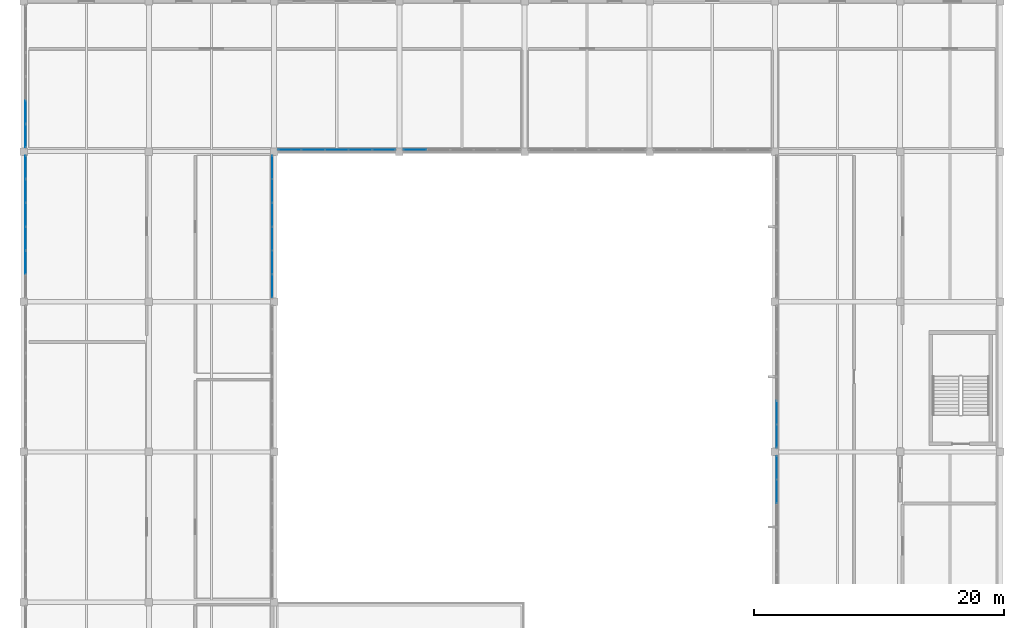
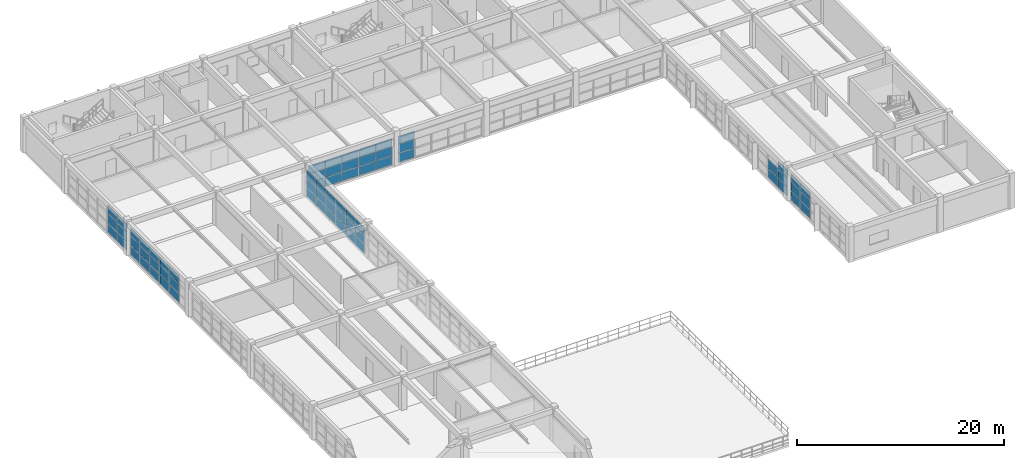
# One storey, part 16 of 28: 68 plates, 7 elements without a shape of their own.
"""IFC4 building model written with IfcOpenShell, lengths in metres."""

from ifc_helpers import new_model, si_unit, direction, frame, origin, origin_2d, place, context, subcontext, project, spatial, rectangle, extrude, material, layer, layer_set, type_object, element, aggregate, save


model = new_model("IFC4")

# Units and contexts
model_context = context("Model", 3, precision=1e-05, world=origin(), true_north=direction((0.0, 1.0)))
body_context = subcontext(model_context, "Body", "Model", "MODEL_VIEW")
ifc_project = project(units=[si_unit("LENGTHUNIT", "METRE"), si_unit("AREAUNIT", "SQUARE_METRE"), si_unit("VOLUMEUNIT", "CUBIC_METRE"), si_unit("PLANEANGLEUNIT", "RADIAN"), si_unit("MASSUNIT", "GRAM", prefix="KILO")], contexts=[model_context])

# Site, building, storey
site_placement = place(None, origin())
site = spatial("IfcSite", under=ifc_project, at=site_placement, CompositionType="ELEMENT")
building_placement = place(site_placement, origin())
building = spatial("IfcBuilding", under=site, at=building_placement, Name="Kivolera Central Railway Station", CompositionType="ELEMENT")
storey_placement = place(building_placement, frame((0.0, 0.0, 18.60009765625)))
storey = spatial("IfcBuildingStorey", under=building, at=storey_placement, Name="L04", CompositionType="ELEMENT", Elevation=18.60009765625)

# Curtain wall, plates
ifc_material_1 = material(Name="Anodised aluminium", Category="aluminium")
ifc_layer_1 = layer(ifc_material_1, 0.179931640625, Name="Anodised aluminium")
ifc_layer_set_1 = layer_set([ifc_layer_1], Name="Anodised aluminium")
curtain_wall_type_1 = type_object("IfcCurtainWallType", Name="CW-SYS-32", PredefinedType="NOTDEFINED", material=ifc_layer_set_1)
curtain_wall_1_placement = place(storey_placement, origin())
curtain_wall_1 = element("IfcCurtainWall", 1, at=curtain_wall_1_placement, inside=storey, type_object=curtain_wall_type_1, Name="L04 Curtain Wall CW-L04-CRTW-J", PredefinedType="NOTDEFINED")
ifc_material_2 = material(Name="Double low-E laminated glass", Category="glass")
ifc_layer_2 = layer(ifc_material_2, 0.02587890625, Name="Double low-E laminated glass")
ifc_layer_set_2 = layer_set([ifc_layer_2], Name="Double low-E laminated glass")
plate_type_1 = type_object("IfcPlateType", Name="CWP-GLZ-1", PredefinedType="CURTAIN_PANEL", material=ifc_layer_set_2)
plate_1_placement = place(storey_placement, frame((137.85498046875, 112.7392578125, 0.0478515625), z_axis=(0.0, 0.0, 1.0), x_axis=(0.0, -1.0, 0.0)))
plate_1 = element("IfcPlate", 2, at=plate_1_placement, type_object=plate_type_1, Name="CW-32 panel 1.1", PredefinedType="CURTAIN_PANEL", context=body_context, shape_type="SweptSolid", body=[
    extrude(rectangle(XDim=1.835693359375, YDim=0.02587890625, at=origin_2d()), origin(), (0.0, 0.0, 1.0), 1.0498046875),
])
plate_2_placement = place(storey_placement, frame((137.85498046875, 112.7392578125, 1.1337890625), z_axis=(0.0, 0.0, 1.0), x_axis=(0.0, -1.0, 0.0)))
plate_2 = element("IfcPlate", 3, at=plate_2_placement, type_object=plate_type_1, Name="CW-32 panel 1.2", PredefinedType="CURTAIN_PANEL", context=body_context, shape_type="SweptSolid", body=[
    extrude(rectangle(XDim=1.835693359375, YDim=0.02587890625, at=origin_2d()), origin(), (0.0, 0.0, 1.0), 1.079833984375),
])
plate_3_placement = place(storey_placement, frame((137.85498046875, 112.7392578125, 2.24951171875), z_axis=(0.0, 0.0, 1.0), x_axis=(0.0, -1.0, 0.0)))
plate_3 = element("IfcPlate", 4, at=plate_3_placement, type_object=plate_type_1, Name="CW-32 panel 1.3", PredefinedType="CURTAIN_PANEL", context=body_context, shape_type="SweptSolid", body=[
    extrude(rectangle(XDim=1.835693359375, YDim=0.02587890625, at=origin_2d()), origin(), (0.0, 0.0, 1.0), 0.890380859375),
])
plate_4_placement = place(storey_placement, frame((137.85498046875, 110.8525390625, 0.0478515625), z_axis=(0.0, 0.0, 1.0), x_axis=(0.0, -1.0, 0.0)))
plate_4 = element("IfcPlate", 5, at=plate_4_placement, type_object=plate_type_1, Name="CW-32 panel 2.1", PredefinedType="CURTAIN_PANEL", context=body_context, shape_type="SweptSolid", body=[
    extrude(rectangle(XDim=1.86572265625, YDim=0.02587890625, at=origin_2d()), origin(), (0.0, 0.0, 1.0), 1.0498046875),
])
plate_5_placement = place(storey_placement, frame((137.85498046875, 110.8525390625, 1.1337890625), z_axis=(0.0, 0.0, 1.0), x_axis=(0.0, -1.0, 0.0)))
plate_5 = element("IfcPlate", 6, at=plate_5_placement, type_object=plate_type_1, Name="CW-32 panel 2.2", PredefinedType="CURTAIN_PANEL", context=body_context, shape_type="SweptSolid", body=[
    extrude(rectangle(XDim=1.86572265625, YDim=0.02587890625, at=origin_2d()), origin(), (0.0, 0.0, 1.0), 1.079833984375),
])
plate_6_placement = place(storey_placement, frame((137.85498046875, 110.8525390625, 2.24951171875), z_axis=(0.0, 0.0, 1.0), x_axis=(0.0, -1.0, 0.0)))
plate_6 = element("IfcPlate", 7, at=plate_6_placement, type_object=plate_type_1, Name="CW-32 panel 2.3", PredefinedType="CURTAIN_PANEL", context=body_context, shape_type="SweptSolid", body=[
    extrude(rectangle(XDim=1.86572265625, YDim=0.02587890625, at=origin_2d()), origin(), (0.0, 0.0, 1.0), 0.890380859375),
])
plate_7_placement = place(storey_placement, frame((137.85498046875, 108.950927734375, 0.0478515625), z_axis=(0.0, 0.0, 1.0), x_axis=(0.0, -1.0, 0.0)))
plate_7 = element("IfcPlate", 8, at=plate_7_placement, type_object=plate_type_1, Name="CW-32 panel 3.1", PredefinedType="CURTAIN_PANEL", context=body_context, shape_type="SweptSolid", body=[
    extrude(rectangle(XDim=1.86572265625, YDim=0.02587890625, at=origin_2d()), origin(), (0.0, 0.0, 1.0), 1.0498046875),
])
plate_8_placement = place(storey_placement, frame((137.85498046875, 108.950927734375, 1.1337890625), z_axis=(0.0, 0.0, 1.0), x_axis=(0.0, -1.0, 0.0)))
plate_8 = element("IfcPlate", 9, at=plate_8_placement, type_object=plate_type_1, Name="CW-32 panel 3.2", PredefinedType="CURTAIN_PANEL", context=body_context, shape_type="SweptSolid", body=[
    extrude(rectangle(XDim=1.86572265625, YDim=0.02587890625, at=origin_2d()), origin(), (0.0, 0.0, 1.0), 1.079833984375),
])
plate_9_placement = place(storey_placement, frame((137.85498046875, 108.950927734375, 2.24951171875), z_axis=(0.0, 0.0, 1.0), x_axis=(0.0, -1.0, 0.0)))
plate_9 = element("IfcPlate", 10, at=plate_9_placement, type_object=plate_type_1, Name="CW-32 panel 3.3", PredefinedType="CURTAIN_PANEL", context=body_context, shape_type="SweptSolid", body=[
    extrude(rectangle(XDim=1.86572265625, YDim=0.02587890625, at=origin_2d()), origin(), (0.0, 0.0, 1.0), 0.890380859375),
])
plate_10_placement = place(storey_placement, frame((137.85498046875, 107.049072265625, 0.0478515625), z_axis=(0.0, 0.0, 1.0), x_axis=(0.0, -1.0, 0.0)))
plate_10 = element("IfcPlate", 11, at=plate_10_placement, type_object=plate_type_1, Name="CW-32 panel 4.1", PredefinedType="CURTAIN_PANEL", context=body_context, shape_type="SweptSolid", body=[
    extrude(rectangle(XDim=1.86572265625, YDim=0.02587890625, at=origin_2d()), origin(), (0.0, 0.0, 1.0), 1.0498046875),
])
plate_11_placement = place(storey_placement, frame((137.85498046875, 107.049072265625, 1.1337890625), z_axis=(0.0, 0.0, 1.0), x_axis=(0.0, -1.0, 0.0)))
plate_11 = element("IfcPlate", 12, at=plate_11_placement, type_object=plate_type_1, Name="CW-32 panel 4.2", PredefinedType="CURTAIN_PANEL", context=body_context, shape_type="SweptSolid", body=[
    extrude(rectangle(XDim=1.86572265625, YDim=0.02587890625, at=origin_2d()), origin(), (0.0, 0.0, 1.0), 1.079833984375),
])
plate_12_placement = place(storey_placement, frame((137.85498046875, 107.049072265625, 2.24951171875), z_axis=(0.0, 0.0, 1.0), x_axis=(0.0, -1.0, 0.0)))
plate_12 = element("IfcPlate", 13, at=plate_12_placement, type_object=plate_type_1, Name="CW-32 panel 4.3", PredefinedType="CURTAIN_PANEL", context=body_context, shape_type="SweptSolid", body=[
    extrude(rectangle(XDim=1.86572265625, YDim=0.02587890625, at=origin_2d()), origin(), (0.0, 0.0, 1.0), 0.890380859375),
])
plate_13_placement = place(storey_placement, frame((137.85498046875, 105.1474609375, 0.0478515625), z_axis=(0.0, 0.0, 1.0), x_axis=(0.0, -1.0, 0.0)))
plate_13 = element("IfcPlate", 14, at=plate_13_placement, type_object=plate_type_1, Name="CW-32 panel 5.1", PredefinedType="CURTAIN_PANEL", context=body_context, shape_type="SweptSolid", body=[
    extrude(rectangle(XDim=1.86572265625, YDim=0.02587890625, at=origin_2d()), origin(), (0.0, 0.0, 1.0), 1.0498046875),
])
plate_14_placement = place(storey_placement, frame((137.85498046875, 105.1474609375, 1.1337890625), z_axis=(0.0, 0.0, 1.0), x_axis=(0.0, -1.0, 0.0)))
plate_14 = element("IfcPlate", 15, at=plate_14_placement, type_object=plate_type_1, Name="CW-32 panel 5.2", PredefinedType="CURTAIN_PANEL", context=body_context, shape_type="SweptSolid", body=[
    extrude(rectangle(XDim=1.86572265625, YDim=0.02587890625, at=origin_2d()), origin(), (0.0, 0.0, 1.0), 1.079833984375),
])
plate_15_placement = place(storey_placement, frame((137.85498046875, 105.1474609375, 2.24951171875), z_axis=(0.0, 0.0, 1.0), x_axis=(0.0, -1.0, 0.0)))
plate_15 = element("IfcPlate", 16, at=plate_15_placement, type_object=plate_type_1, Name="CW-32 panel 5.3", PredefinedType="CURTAIN_PANEL", context=body_context, shape_type="SweptSolid", body=[
    extrude(rectangle(XDim=1.86572265625, YDim=0.02587890625, at=origin_2d()), origin(), (0.0, 0.0, 1.0), 0.890380859375),
])
plate_16_placement = place(storey_placement, frame((137.85498046875, 103.2607421875, 0.0478515625), z_axis=(0.0, 0.0, 1.0), x_axis=(0.0, -1.0, 0.0)))
plate_16 = element("IfcPlate", 17, at=plate_16_placement, type_object=plate_type_1, Name="CW-32 panel 6.1", PredefinedType="CURTAIN_PANEL", context=body_context, shape_type="SweptSolid", body=[
    extrude(rectangle(XDim=1.835693359375, YDim=0.02587890625, at=origin_2d()), origin(), (0.0, 0.0, 1.0), 1.0498046875),
])
plate_17_placement = place(storey_placement, frame((137.85498046875, 103.2607421875, 1.1337890625), z_axis=(0.0, 0.0, 1.0), x_axis=(0.0, -1.0, 0.0)))
plate_17 = element("IfcPlate", 18, at=plate_17_placement, type_object=plate_type_1, Name="CW-32 panel 6.2", PredefinedType="CURTAIN_PANEL", context=body_context, shape_type="SweptSolid", body=[
    extrude(rectangle(XDim=1.835693359375, YDim=0.02587890625, at=origin_2d()), origin(), (0.0, 0.0, 1.0), 1.079833984375),
])
plate_18_placement = place(storey_placement, frame((137.85498046875, 103.2607421875, 2.24951171875), z_axis=(0.0, 0.0, 1.0), x_axis=(0.0, -1.0, 0.0)))
plate_18 = element("IfcPlate", 19, at=plate_18_placement, type_object=plate_type_1, Name="CW-32 panel 6.3", PredefinedType="CURTAIN_PANEL", context=body_context, shape_type="SweptSolid", body=[
    extrude(rectangle(XDim=1.835693359375, YDim=0.02587890625, at=origin_2d()), origin(), (0.0, 0.0, 1.0), 0.890380859375),
])
aggregate(curtain_wall_1, [plate_1, plate_2, plate_3, plate_4, plate_5, plate_6, plate_7, plate_8, plate_9, plate_10, plate_11, plate_12, plate_13, plate_14, plate_15, plate_16, plate_17, plate_18])

ifc_layer_3 = layer(ifc_material_1, 0.179931640625, Name="Anodised aluminium")
ifc_layer_set_3 = layer_set([ifc_layer_3], Name="Anodised aluminium")
curtain_wall_type_2 = type_object("IfcCurtainWallType", Name="CW-SYS-31", PredefinedType="NOTDEFINED", material=ifc_layer_set_3)
curtain_wall_2_placement = place(storey_placement, origin())
curtain_wall_2 = element("IfcCurtainWall", 20, at=curtain_wall_2_placement, inside=storey, type_object=curtain_wall_type_2, Name="L04 Curtain Wall CW-L04-CRTN-138", PredefinedType="NOTDEFINED")
ifc_layer_4 = layer(ifc_material_2, 0.030029296875, Name="Double low-E laminated glass")
ifc_layer_set_4 = layer_set([ifc_layer_4], Name="Double low-E laminated glass")
plate_type_2 = type_object("IfcPlateType", Name="CWP-GLZ-2", PredefinedType="CURTAIN_PANEL", material=ifc_layer_set_4)
plate_19_placement = place(storey_placement, frame((146.7490234375, 114.14501953125, 0.0478515625), z_axis=(0.0, 0.0, 1.0), x_axis=(-1.0, 0.0, 0.0)))
plate_19 = element("IfcPlate", 21, at=plate_19_placement, type_object=plate_type_2, Name="CW-31 panel 1.1", PredefinedType="CURTAIN_PANEL", context=body_context, shape_type="SweptSolid", body=[
    extrude(rectangle(XDim=1.81591796875, YDim=0.030029296875, at=origin_2d()), origin(), (0.0, 0.0, 1.0), 1.0498046875),
])
plate_20_placement = place(storey_placement, frame((146.7490234375, 114.14501953125, 1.1337890625), z_axis=(0.0, 0.0, 1.0), x_axis=(-1.0, 0.0, 0.0)))
plate_20 = element("IfcPlate", 22, at=plate_20_placement, type_object=plate_type_2, Name="CW-31 panel 1.2", PredefinedType="CURTAIN_PANEL", context=body_context, shape_type="SweptSolid", body=[
    extrude(rectangle(XDim=1.81591796875, YDim=0.030029296875, at=origin_2d()), origin(), (0.0, 0.0, 1.0), 1.079833984375),
])
plate_21_placement = place(storey_placement, frame((146.7490234375, 114.14501953125, 2.24951171875), z_axis=(0.0, 0.0, 1.0), x_axis=(-1.0, 0.0, 0.0)))
plate_21 = element("IfcPlate", 23, at=plate_21_placement, type_object=plate_type_2, Name="CW-31 panel 1.3", PredefinedType="CURTAIN_PANEL", context=body_context, shape_type="SweptSolid", body=[
    extrude(rectangle(XDim=1.81591796875, YDim=0.030029296875, at=origin_2d()), origin(), (0.0, 0.0, 1.0), 0.890380859375),
])
plate_22_placement = place(storey_placement, frame((144.882080078125, 114.14501953125, 0.0478515625), z_axis=(0.0, 0.0, 1.0), x_axis=(-1.0, 0.0, 0.0)))
plate_22 = element("IfcPlate", 24, at=plate_22_placement, type_object=plate_type_2, Name="CW-31 panel 2.1", PredefinedType="CURTAIN_PANEL", context=body_context, shape_type="SweptSolid", body=[
    extrude(rectangle(XDim=1.845947265625, YDim=0.030029296875, at=origin_2d()), origin(), (0.0, 0.0, 1.0), 1.0498046875),
])
plate_23_placement = place(storey_placement, frame((144.882080078125, 114.14501953125, 1.1337890625), z_axis=(0.0, 0.0, 1.0), x_axis=(-1.0, 0.0, 0.0)))
plate_23 = element("IfcPlate", 25, at=plate_23_placement, type_object=plate_type_2, Name="CW-31 panel 2.2", PredefinedType="CURTAIN_PANEL", context=body_context, shape_type="SweptSolid", body=[
    extrude(rectangle(XDim=1.845947265625, YDim=0.030029296875, at=origin_2d()), origin(), (0.0, 0.0, 1.0), 1.079833984375),
])
plate_24_placement = place(storey_placement, frame((144.882080078125, 114.14501953125, 2.24951171875), z_axis=(0.0, 0.0, 1.0), x_axis=(-1.0, 0.0, 0.0)))
plate_24 = element("IfcPlate", 26, at=plate_24_placement, type_object=plate_type_2, Name="CW-31 panel 2.3", PredefinedType="CURTAIN_PANEL", context=body_context, shape_type="SweptSolid", body=[
    extrude(rectangle(XDim=1.845947265625, YDim=0.030029296875, at=origin_2d()), origin(), (0.0, 0.0, 1.0), 0.890380859375),
])
plate_25_placement = place(storey_placement, frame((143.0, 114.14501953125, 0.0478515625), z_axis=(0.0, 0.0, 1.0), x_axis=(-1.0, 0.0, 0.0)))
plate_25 = element("IfcPlate", 27, at=plate_25_placement, type_object=plate_type_2, Name="CW-31 panel 3.1", PredefinedType="CURTAIN_PANEL", context=body_context, shape_type="SweptSolid", body=[
    extrude(rectangle(XDim=1.845947265625, YDim=0.030029296875, at=origin_2d()), origin(), (0.0, 0.0, 1.0), 1.0498046875),
])
plate_26_placement = place(storey_placement, frame((143.0, 114.14501953125, 1.1337890625), z_axis=(0.0, 0.0, 1.0), x_axis=(-1.0, 0.0, 0.0)))
plate_26 = element("IfcPlate", 28, at=plate_26_placement, type_object=plate_type_2, Name="CW-31 panel 3.2", PredefinedType="CURTAIN_PANEL", context=body_context, shape_type="SweptSolid", body=[
    extrude(rectangle(XDim=1.845947265625, YDim=0.030029296875, at=origin_2d()), origin(), (0.0, 0.0, 1.0), 1.079833984375),
])
plate_27_placement = place(storey_placement, frame((143.0, 114.14501953125, 2.24951171875), z_axis=(0.0, 0.0, 1.0), x_axis=(-1.0, 0.0, 0.0)))
plate_27 = element("IfcPlate", 29, at=plate_27_placement, type_object=plate_type_2, Name="CW-31 panel 3.3", PredefinedType="CURTAIN_PANEL", context=body_context, shape_type="SweptSolid", body=[
    extrude(rectangle(XDim=1.845947265625, YDim=0.030029296875, at=origin_2d()), origin(), (0.0, 0.0, 1.0), 0.890380859375),
])
plate_28_placement = place(storey_placement, frame((141.117919921875, 114.14501953125, 0.0478515625), z_axis=(0.0, 0.0, 1.0), x_axis=(-1.0, 0.0, 0.0)))
plate_28 = element("IfcPlate", 30, at=plate_28_placement, type_object=plate_type_2, Name="CW-31 panel 4.1", PredefinedType="CURTAIN_PANEL", context=body_context, shape_type="SweptSolid", body=[
    extrude(rectangle(XDim=1.845947265625, YDim=0.030029296875, at=origin_2d()), origin(), (0.0, 0.0, 1.0), 1.0498046875),
])
plate_29_placement = place(storey_placement, frame((141.117919921875, 114.14501953125, 1.1337890625), z_axis=(0.0, 0.0, 1.0), x_axis=(-1.0, 0.0, 0.0)))
plate_29 = element("IfcPlate", 31, at=plate_29_placement, type_object=plate_type_2, Name="CW-31 panel 4.2", PredefinedType="CURTAIN_PANEL", context=body_context, shape_type="SweptSolid", body=[
    extrude(rectangle(XDim=1.845947265625, YDim=0.030029296875, at=origin_2d()), origin(), (0.0, 0.0, 1.0), 1.079833984375),
])
plate_30_placement = place(storey_placement, frame((141.117919921875, 114.14501953125, 2.24951171875), z_axis=(0.0, 0.0, 1.0), x_axis=(-1.0, 0.0, 0.0)))
plate_30 = element("IfcPlate", 32, at=plate_30_placement, type_object=plate_type_2, Name="CW-31 panel 4.3", PredefinedType="CURTAIN_PANEL", context=body_context, shape_type="SweptSolid", body=[
    extrude(rectangle(XDim=1.845947265625, YDim=0.030029296875, at=origin_2d()), origin(), (0.0, 0.0, 1.0), 0.890380859375),
])
plate_31_placement = place(storey_placement, frame((139.2509765625, 114.14501953125, 0.0478515625), z_axis=(0.0, 0.0, 1.0), x_axis=(-1.0, 0.0, 0.0)))
plate_31 = element("IfcPlate", 33, at=plate_31_placement, type_object=plate_type_2, Name="CW-31 panel 5.1", PredefinedType="CURTAIN_PANEL", context=body_context, shape_type="SweptSolid", body=[
    extrude(rectangle(XDim=1.81591796875, YDim=0.030029296875, at=origin_2d()), origin(), (0.0, 0.0, 1.0), 1.0498046875),
])
plate_32_placement = place(storey_placement, frame((139.2509765625, 114.14501953125, 1.1337890625), z_axis=(0.0, 0.0, 1.0), x_axis=(-1.0, 0.0, 0.0)))
plate_32 = element("IfcPlate", 34, at=plate_32_placement, type_object=plate_type_2, Name="CW-31 panel 5.2", PredefinedType="CURTAIN_PANEL", context=body_context, shape_type="SweptSolid", body=[
    extrude(rectangle(XDim=1.81591796875, YDim=0.030029296875, at=origin_2d()), origin(), (0.0, 0.0, 1.0), 1.079833984375),
])
plate_33_placement = place(storey_placement, frame((139.2509765625, 114.14501953125, 2.24951171875), z_axis=(0.0, 0.0, 1.0), x_axis=(-1.0, 0.0, 0.0)))
plate_33 = element("IfcPlate", 35, at=plate_33_placement, type_object=plate_type_2, Name="CW-31 panel 5.3", PredefinedType="CURTAIN_PANEL", context=body_context, shape_type="SweptSolid", body=[
    extrude(rectangle(XDim=1.81591796875, YDim=0.030029296875, at=origin_2d()), origin(), (0.0, 0.0, 1.0), 0.890380859375),
])
aggregate(curtain_wall_2, [plate_19, plate_20, plate_21, plate_22, plate_23, plate_24, plate_25, plate_26, plate_27, plate_28, plate_29, plate_30, plate_31, plate_32, plate_33])

curtain_wall_3_placement = place(storey_placement, origin())
curtain_wall_3 = element("IfcCurtainWall", 36, at=curtain_wall_3_placement, inside=storey, type_object=curtain_wall_type_1, Name="L04 Curtain Wall CW-L04-CRTE-G", PredefinedType="NOTDEFINED")
plate_34_placement = place(storey_placement, frame((178.14501953125, 86.8525390625, 0.0478515625), z_axis=(0.0, 0.0, 1.0), x_axis=(0.0, 1.0, 0.0)))
plate_34 = element("IfcPlate", 37, at=plate_34_placement, type_object=plate_type_2, Name="CW-32 panel 5.1", PredefinedType="CURTAIN_PANEL", context=body_context, shape_type="SweptSolid", body=[
    extrude(rectangle(XDim=1.86572265625, YDim=0.030029296875, at=origin_2d()), origin(), (0.0, 0.0, 1.0), 1.0498046875),
])
plate_35_placement = place(storey_placement, frame((178.14501953125, 86.8525390625, 1.1337890625), z_axis=(0.0, 0.0, 1.0), x_axis=(0.0, 1.0, 0.0)))
plate_35 = element("IfcPlate", 38, at=plate_35_placement, type_object=plate_type_2, Name="CW-32 panel 5.2", PredefinedType="CURTAIN_PANEL", context=body_context, shape_type="SweptSolid", body=[
    extrude(rectangle(XDim=1.86572265625, YDim=0.030029296875, at=origin_2d()), origin(), (0.0, 0.0, 1.0), 1.079833984375),
])
plate_36_placement = place(storey_placement, frame((178.14501953125, 86.8525390625, 2.24951171875), z_axis=(0.0, 0.0, 1.0), x_axis=(0.0, 1.0, 0.0)))
plate_36 = element("IfcPlate", 39, at=plate_36_placement, type_object=plate_type_2, Name="CW-32 panel 5.3", PredefinedType="CURTAIN_PANEL", context=body_context, shape_type="SweptSolid", body=[
    extrude(rectangle(XDim=1.86572265625, YDim=0.030029296875, at=origin_2d()), origin(), (0.0, 0.0, 1.0), 0.890380859375),
])
plate_37_placement = place(storey_placement, frame((178.14501953125, 88.7392578125, 0.0478515625), z_axis=(0.0, 0.0, 1.0), x_axis=(0.0, 1.0, 0.0)))
plate_37 = element("IfcPlate", 40, at=plate_37_placement, type_object=plate_type_2, Name="CW-32 panel 6.1", PredefinedType="CURTAIN_PANEL", context=body_context, shape_type="SweptSolid", body=[
    extrude(rectangle(XDim=1.835693359375, YDim=0.030029296875, at=origin_2d()), origin(), (0.0, 0.0, 1.0), 1.0498046875),
])
plate_38_placement = place(storey_placement, frame((178.14501953125, 88.7392578125, 1.1337890625), z_axis=(0.0, 0.0, 1.0), x_axis=(0.0, 1.0, 0.0)))
plate_38 = element("IfcPlate", 41, at=plate_38_placement, type_object=plate_type_2, Name="CW-32 panel 6.2", PredefinedType="CURTAIN_PANEL", context=body_context, shape_type="SweptSolid", body=[
    extrude(rectangle(XDim=1.835693359375, YDim=0.030029296875, at=origin_2d()), origin(), (0.0, 0.0, 1.0), 1.079833984375),
])
plate_39_placement = place(storey_placement, frame((178.14501953125, 88.7392578125, 2.24951171875), z_axis=(0.0, 0.0, 1.0), x_axis=(0.0, 1.0, 0.0)))
plate_39 = element("IfcPlate", 42, at=plate_39_placement, type_object=plate_type_2, Name="CW-32 panel 6.3", PredefinedType="CURTAIN_PANEL", context=body_context, shape_type="SweptSolid", body=[
    extrude(rectangle(XDim=1.835693359375, YDim=0.030029296875, at=origin_2d()), origin(), (0.0, 0.0, 1.0), 0.890380859375),
])
aggregate(curtain_wall_3, [plate_34, plate_35, plate_36, plate_37, plate_38, plate_39])

curtain_wall_4_placement = place(storey_placement, origin())
curtain_wall_4 = element("IfcCurtainWall", 43, at=curtain_wall_4_placement, inside=storey, type_object=curtain_wall_type_1, Name="L04 Curtain Wall CW-L04-CRTE-H", PredefinedType="NOTDEFINED")
plate_40_placement = place(storey_placement, frame((178.14501953125, 91.2607421875, 0.0478515625), z_axis=(0.0, 0.0, 1.0), x_axis=(0.0, 1.0, 0.0)))
plate_40 = element("IfcPlate", 44, at=plate_40_placement, type_object=plate_type_2, Name="CW-32 panel 1.1", PredefinedType="CURTAIN_PANEL", context=body_context, shape_type="SweptSolid", body=[
    extrude(rectangle(XDim=1.835693359375, YDim=0.030029296875, at=origin_2d()), origin(), (0.0, 0.0, 1.0), 1.0498046875),
])
plate_41_placement = place(storey_placement, frame((178.14501953125, 91.2607421875, 1.1337890625), z_axis=(0.0, 0.0, 1.0), x_axis=(0.0, 1.0, 0.0)))
plate_41 = element("IfcPlate", 45, at=plate_41_placement, type_object=plate_type_2, Name="CW-32 panel 1.2", PredefinedType="CURTAIN_PANEL", context=body_context, shape_type="SweptSolid", body=[
    extrude(rectangle(XDim=1.835693359375, YDim=0.030029296875, at=origin_2d()), origin(), (0.0, 0.0, 1.0), 1.079833984375),
])
plate_42_placement = place(storey_placement, frame((178.14501953125, 91.2607421875, 2.24951171875), z_axis=(0.0, 0.0, 1.0), x_axis=(0.0, 1.0, 0.0)))
plate_42 = element("IfcPlate", 46, at=plate_42_placement, type_object=plate_type_2, Name="CW-32 panel 1.3", PredefinedType="CURTAIN_PANEL", context=body_context, shape_type="SweptSolid", body=[
    extrude(rectangle(XDim=1.835693359375, YDim=0.030029296875, at=origin_2d()), origin(), (0.0, 0.0, 1.0), 0.890380859375),
])
plate_43_placement = place(storey_placement, frame((178.14501953125, 93.1474609375, 0.0478515625), z_axis=(0.0, 0.0, 1.0), x_axis=(0.0, 1.0, 0.0)))
plate_43 = element("IfcPlate", 47, at=plate_43_placement, type_object=plate_type_2, Name="CW-32 panel 2.1", PredefinedType="CURTAIN_PANEL", context=body_context, shape_type="SweptSolid", body=[
    extrude(rectangle(XDim=1.86572265625, YDim=0.030029296875, at=origin_2d()), origin(), (0.0, 0.0, 1.0), 1.0498046875),
])
plate_44_placement = place(storey_placement, frame((178.14501953125, 93.1474609375, 1.1337890625), z_axis=(0.0, 0.0, 1.0), x_axis=(0.0, 1.0, 0.0)))
plate_44 = element("IfcPlate", 48, at=plate_44_placement, type_object=plate_type_2, Name="CW-32 panel 2.2", PredefinedType="CURTAIN_PANEL", context=body_context, shape_type="SweptSolid", body=[
    extrude(rectangle(XDim=1.86572265625, YDim=0.030029296875, at=origin_2d()), origin(), (0.0, 0.0, 1.0), 1.079833984375),
])
aggregate(curtain_wall_4, [plate_40, plate_41, plate_42, plate_43, plate_44])

ifc_layer_5 = layer(ifc_material_1, 0.179931640625, Name="Anodised aluminium")
ifc_layer_set_5 = layer_set([ifc_layer_5], Name="Anodised aluminium")
curtain_wall_type_3 = type_object("IfcCurtainWallType", Name="CW-SYS-33", PredefinedType="NOTDEFINED", material=ifc_layer_set_5)
curtain_wall_5_placement = place(storey_placement, origin())
curtain_wall_5 = element("IfcCurtainWall", 49, at=curtain_wall_5_placement, inside=storey, type_object=curtain_wall_type_3, Name="L04 Curtain Wall CW-L04-WEST-J", PredefinedType="NOTDEFINED")
plate_45_placement = place(storey_placement, frame((118.14501953125, 105.1474609375, 0.057861328125), z_axis=(0.0, 0.0, 1.0), x_axis=(0.0, 1.0, 0.0)))
plate_45 = element("IfcPlate", 50, at=plate_45_placement, type_object=plate_type_2, Name="CW-33 panel 2.1", PredefinedType="CURTAIN_PANEL", context=body_context, shape_type="SweptSolid", body=[
    extrude(rectangle(XDim=1.855712890625, YDim=0.030029296875, at=origin_2d()), origin(), (0.0, 0.0, 1.0), 1.06982421875),
])
plate_46_placement = place(storey_placement, frame((118.14501953125, 105.1474609375, 1.173828125), z_axis=(0.0, 0.0, 1.0), x_axis=(0.0, 1.0, 0.0)))
plate_46 = element("IfcPlate", 51, at=plate_46_placement, type_object=plate_type_2, Name="CW-33 panel 2.2", PredefinedType="CURTAIN_PANEL", context=body_context, shape_type="SweptSolid", body=[
    extrude(rectangle(XDim=1.855712890625, YDim=0.030029296875, at=origin_2d()), origin(), (0.0, 0.0, 1.0), 1.104736328125),
])
plate_47_placement = place(storey_placement, frame((118.14501953125, 105.1474609375, 2.32421875), z_axis=(0.0, 0.0, 1.0), x_axis=(0.0, 1.0, 0.0)))
plate_47 = element("IfcPlate", 52, at=plate_47_placement, type_object=plate_type_2, Name="CW-33 panel 2.3", PredefinedType="CURTAIN_PANEL", context=body_context, shape_type="SweptSolid", body=[
    extrude(rectangle(XDim=1.855712890625, YDim=0.030029296875, at=origin_2d()), origin(), (0.0, 0.0, 1.0), 0.905517578125),
])
plate_48_placement = place(storey_placement, frame((118.14501953125, 107.049072265625, 0.057861328125), z_axis=(0.0, 0.0, 1.0), x_axis=(0.0, 1.0, 0.0)))
plate_48 = element("IfcPlate", 53, at=plate_48_placement, type_object=plate_type_2, Name="CW-33 panel 3.1", PredefinedType="CURTAIN_PANEL", context=body_context, shape_type="SweptSolid", body=[
    extrude(rectangle(XDim=1.855712890625, YDim=0.030029296875, at=origin_2d()), origin(), (0.0, 0.0, 1.0), 1.06982421875),
])
plate_49_placement = place(storey_placement, frame((118.14501953125, 107.049072265625, 1.173828125), z_axis=(0.0, 0.0, 1.0), x_axis=(0.0, 1.0, 0.0)))
plate_49 = element("IfcPlate", 54, at=plate_49_placement, type_object=plate_type_2, Name="CW-33 panel 3.2", PredefinedType="CURTAIN_PANEL", context=body_context, shape_type="SweptSolid", body=[
    extrude(rectangle(XDim=1.855712890625, YDim=0.030029296875, at=origin_2d()), origin(), (0.0, 0.0, 1.0), 1.104736328125),
])
plate_50_placement = place(storey_placement, frame((118.14501953125, 107.049072265625, 2.32421875), z_axis=(0.0, 0.0, 1.0), x_axis=(0.0, 1.0, 0.0)))
plate_50 = element("IfcPlate", 55, at=plate_50_placement, type_object=plate_type_2, Name="CW-33 panel 3.3", PredefinedType="CURTAIN_PANEL", context=body_context, shape_type="SweptSolid", body=[
    extrude(rectangle(XDim=1.855712890625, YDim=0.030029296875, at=origin_2d()), origin(), (0.0, 0.0, 1.0), 0.905517578125),
])
plate_51_placement = place(storey_placement, frame((118.14501953125, 108.950927734375, 0.057861328125), z_axis=(0.0, 0.0, 1.0), x_axis=(0.0, 1.0, 0.0)))
plate_51 = element("IfcPlate", 56, at=plate_51_placement, type_object=plate_type_2, Name="CW-33 panel 4.1", PredefinedType="CURTAIN_PANEL", context=body_context, shape_type="SweptSolid", body=[
    extrude(rectangle(XDim=1.855712890625, YDim=0.030029296875, at=origin_2d()), origin(), (0.0, 0.0, 1.0), 1.06982421875),
])
plate_52_placement = place(storey_placement, frame((118.14501953125, 108.950927734375, 1.173828125), z_axis=(0.0, 0.0, 1.0), x_axis=(0.0, 1.0, 0.0)))
plate_52 = element("IfcPlate", 57, at=plate_52_placement, type_object=plate_type_2, Name="CW-33 panel 4.2", PredefinedType="CURTAIN_PANEL", context=body_context, shape_type="SweptSolid", body=[
    extrude(rectangle(XDim=1.855712890625, YDim=0.030029296875, at=origin_2d()), origin(), (0.0, 0.0, 1.0), 1.104736328125),
])
plate_53_placement = place(storey_placement, frame((118.14501953125, 108.950927734375, 2.32421875), z_axis=(0.0, 0.0, 1.0), x_axis=(0.0, 1.0, 0.0)))
plate_53 = element("IfcPlate", 58, at=plate_53_placement, type_object=plate_type_2, Name="CW-33 panel 4.3", PredefinedType="CURTAIN_PANEL", context=body_context, shape_type="SweptSolid", body=[
    extrude(rectangle(XDim=1.855712890625, YDim=0.030029296875, at=origin_2d()), origin(), (0.0, 0.0, 1.0), 0.905517578125),
])
plate_54_placement = place(storey_placement, frame((118.14501953125, 110.8525390625, 0.057861328125), z_axis=(0.0, 0.0, 1.0), x_axis=(0.0, 1.0, 0.0)))
plate_54 = element("IfcPlate", 59, at=plate_54_placement, type_object=plate_type_2, Name="CW-33 panel 5.1", PredefinedType="CURTAIN_PANEL", context=body_context, shape_type="SweptSolid", body=[
    extrude(rectangle(XDim=1.855712890625, YDim=0.030029296875, at=origin_2d()), origin(), (0.0, 0.0, 1.0), 1.06982421875),
])
plate_55_placement = place(storey_placement, frame((118.14501953125, 110.8525390625, 1.173828125), z_axis=(0.0, 0.0, 1.0), x_axis=(0.0, 1.0, 0.0)))
plate_55 = element("IfcPlate", 60, at=plate_55_placement, type_object=plate_type_2, Name="CW-33 panel 5.2", PredefinedType="CURTAIN_PANEL", context=body_context, shape_type="SweptSolid", body=[
    extrude(rectangle(XDim=1.855712890625, YDim=0.030029296875, at=origin_2d()), origin(), (0.0, 0.0, 1.0), 1.104736328125),
])
plate_56_placement = place(storey_placement, frame((118.14501953125, 110.8525390625, 2.32421875), z_axis=(0.0, 0.0, 1.0), x_axis=(0.0, 1.0, 0.0)))
plate_56 = element("IfcPlate", 61, at=plate_56_placement, type_object=plate_type_2, Name="CW-33 panel 5.3", PredefinedType="CURTAIN_PANEL", context=body_context, shape_type="SweptSolid", body=[
    extrude(rectangle(XDim=1.855712890625, YDim=0.030029296875, at=origin_2d()), origin(), (0.0, 0.0, 1.0), 0.905517578125),
])
plate_57_placement = place(storey_placement, frame((118.14501953125, 112.736572265625, 0.057861328125), z_axis=(0.0, 0.0, 1.0), x_axis=(0.0, 1.0, 0.0)))
plate_57 = element("IfcPlate", 62, at=plate_57_placement, type_object=plate_type_2, Name="CW-33 panel 6.1", PredefinedType="CURTAIN_PANEL", context=body_context, shape_type="SweptSolid", body=[
    extrude(rectangle(XDim=1.820556640625, YDim=0.030029296875, at=origin_2d()), origin(), (0.0, 0.0, 1.0), 1.06982421875),
])
plate_58_placement = place(storey_placement, frame((118.14501953125, 112.736572265625, 1.173828125), z_axis=(0.0, 0.0, 1.0), x_axis=(0.0, 1.0, 0.0)))
plate_58 = element("IfcPlate", 63, at=plate_58_placement, type_object=plate_type_2, Name="CW-33 panel 6.2", PredefinedType="CURTAIN_PANEL", context=body_context, shape_type="SweptSolid", body=[
    extrude(rectangle(XDim=1.820556640625, YDim=0.030029296875, at=origin_2d()), origin(), (0.0, 0.0, 1.0), 1.104736328125),
])
plate_59_placement = place(storey_placement, frame((118.14501953125, 112.736572265625, 2.32421875), z_axis=(0.0, 0.0, 1.0), x_axis=(0.0, 1.0, 0.0)))
plate_59 = element("IfcPlate", 64, at=plate_59_placement, type_object=plate_type_2, Name="CW-33 panel 6.3", PredefinedType="CURTAIN_PANEL", context=body_context, shape_type="SweptSolid", body=[
    extrude(rectangle(XDim=1.820556640625, YDim=0.030029296875, at=origin_2d()), origin(), (0.0, 0.0, 1.0), 0.905517578125),
])
aggregate(curtain_wall_5, [plate_45, plate_46, plate_47, plate_48, plate_49, plate_50, plate_51, plate_52, plate_53, plate_54, plate_55, plate_56, plate_57, plate_58, plate_59])

curtain_wall_6_placement = place(storey_placement, origin())
curtain_wall_6 = element("IfcCurtainWall", 65, at=curtain_wall_6_placement, inside=storey, type_object=curtain_wall_type_3, Name="L04 Curtain Wall CW-L04-WEST-K", PredefinedType="NOTDEFINED")
plate_60_placement = place(storey_placement, frame((118.14501953125, 115.263427734375, 0.057861328125), z_axis=(0.0, 0.0, 1.0), x_axis=(0.0, 1.0, 0.0)))
plate_60 = element("IfcPlate", 66, at=plate_60_placement, type_object=plate_type_2, Name="CW-33 panel 1.1", PredefinedType="CURTAIN_PANEL", context=body_context, shape_type="SweptSolid", body=[
    extrude(rectangle(XDim=1.820556640625, YDim=0.030029296875, at=origin_2d()), origin(), (0.0, 0.0, 1.0), 1.06982421875),
])
plate_61_placement = place(storey_placement, frame((118.14501953125, 115.263427734375, 1.173828125), z_axis=(0.0, 0.0, 1.0), x_axis=(0.0, 1.0, 0.0)))
plate_61 = element("IfcPlate", 67, at=plate_61_placement, type_object=plate_type_2, Name="CW-33 panel 1.2", PredefinedType="CURTAIN_PANEL", context=body_context, shape_type="SweptSolid", body=[
    extrude(rectangle(XDim=1.820556640625, YDim=0.030029296875, at=origin_2d()), origin(), (0.0, 0.0, 1.0), 1.104736328125),
])
plate_62_placement = place(storey_placement, frame((118.14501953125, 115.263427734375, 2.32421875), z_axis=(0.0, 0.0, 1.0), x_axis=(0.0, 1.0, 0.0)))
plate_62 = element("IfcPlate", 68, at=plate_62_placement, type_object=plate_type_2, Name="CW-33 panel 1.3", PredefinedType="CURTAIN_PANEL", context=body_context, shape_type="SweptSolid", body=[
    extrude(rectangle(XDim=1.820556640625, YDim=0.030029296875, at=origin_2d()), origin(), (0.0, 0.0, 1.0), 0.905517578125),
])
plate_63_placement = place(storey_placement, frame((118.14501953125, 117.1474609375, 0.057861328125), z_axis=(0.0, 0.0, 1.0), x_axis=(0.0, 1.0, 0.0)))
plate_63 = element("IfcPlate", 69, at=plate_63_placement, type_object=plate_type_2, Name="CW-33 panel 2.1", PredefinedType="CURTAIN_PANEL", context=body_context, shape_type="SweptSolid", body=[
    extrude(rectangle(XDim=1.855712890625, YDim=0.030029296875, at=origin_2d()), origin(), (0.0, 0.0, 1.0), 1.06982421875),
])
plate_64_placement = place(storey_placement, frame((118.14501953125, 117.1474609375, 1.173828125), z_axis=(0.0, 0.0, 1.0), x_axis=(0.0, 1.0, 0.0)))
plate_64 = element("IfcPlate", 70, at=plate_64_placement, type_object=plate_type_2, Name="CW-33 panel 2.2", PredefinedType="CURTAIN_PANEL", context=body_context, shape_type="SweptSolid", body=[
    extrude(rectangle(XDim=1.855712890625, YDim=0.030029296875, at=origin_2d()), origin(), (0.0, 0.0, 1.0), 1.104736328125),
])
plate_65_placement = place(storey_placement, frame((118.14501953125, 117.1474609375, 2.32421875), z_axis=(0.0, 0.0, 1.0), x_axis=(0.0, 1.0, 0.0)))
plate_65 = element("IfcPlate", 71, at=plate_65_placement, type_object=plate_type_2, Name="CW-33 panel 2.3", PredefinedType="CURTAIN_PANEL", context=body_context, shape_type="SweptSolid", body=[
    extrude(rectangle(XDim=1.855712890625, YDim=0.030029296875, at=origin_2d()), origin(), (0.0, 0.0, 1.0), 0.905517578125),
])
aggregate(curtain_wall_6, [plate_60, plate_61, plate_62, plate_63, plate_64, plate_65])

curtain_wall_7_placement = place(storey_placement, origin())
curtain_wall_7 = element("IfcCurtainWall", 72, at=curtain_wall_7_placement, inside=storey, type_object=curtain_wall_type_2, Name="L04 Curtain Wall CW-L04-CRTN-148", PredefinedType="NOTDEFINED")
ifc_layer_6 = layer(ifc_material_2, 0.033935546875, Name="Double low-E laminated glass")
ifc_layer_set_6 = layer_set([ifc_layer_6], Name="Double low-E laminated glass")
plate_type_3 = type_object("IfcPlateType", Name="CWP-GLZ-3", PredefinedType="CURTAIN_PANEL", material=ifc_layer_set_6)
plate_66_placement = place(storey_placement, frame((149.2509765625, 114.14501953125, 0.0478515625), z_axis=(0.0, 0.0, 1.0), x_axis=(-1.0, 0.0, 0.0)))
plate_66 = element("IfcPlate", 73, at=plate_66_placement, type_object=plate_type_3, Name="CW-31 panel 5.1", PredefinedType="CURTAIN_PANEL", context=body_context, shape_type="SweptSolid", body=[
    extrude(rectangle(XDim=1.81591796875, YDim=0.033935546875, at=origin_2d()), origin(), (0.0, 0.0, 1.0), 1.0498046875),
])
plate_67_placement = place(storey_placement, frame((149.2509765625, 114.14501953125, 1.1337890625), z_axis=(0.0, 0.0, 1.0), x_axis=(-1.0, 0.0, 0.0)))
plate_67 = element("IfcPlate", 74, at=plate_67_placement, type_object=plate_type_3, Name="CW-31 panel 5.2", PredefinedType="CURTAIN_PANEL", context=body_context, shape_type="SweptSolid", body=[
    extrude(rectangle(XDim=1.81591796875, YDim=0.033935546875, at=origin_2d()), origin(), (0.0, 0.0, 1.0), 1.079833984375),
])
plate_68_placement = place(storey_placement, frame((149.2509765625, 114.14501953125, 2.24951171875), z_axis=(0.0, 0.0, 1.0), x_axis=(-1.0, 0.0, 0.0)))
plate_68 = element("IfcPlate", 75, at=plate_68_placement, type_object=plate_type_3, Name="CW-31 panel 5.3", PredefinedType="CURTAIN_PANEL", context=body_context, shape_type="SweptSolid", body=[
    extrude(rectangle(XDim=1.81591796875, YDim=0.033935546875, at=origin_2d()), origin(), (0.0, 0.0, 1.0), 0.890380859375),
])
aggregate(curtain_wall_7, [plate_66, plate_67, plate_68])

save(model, "model.ifc")
